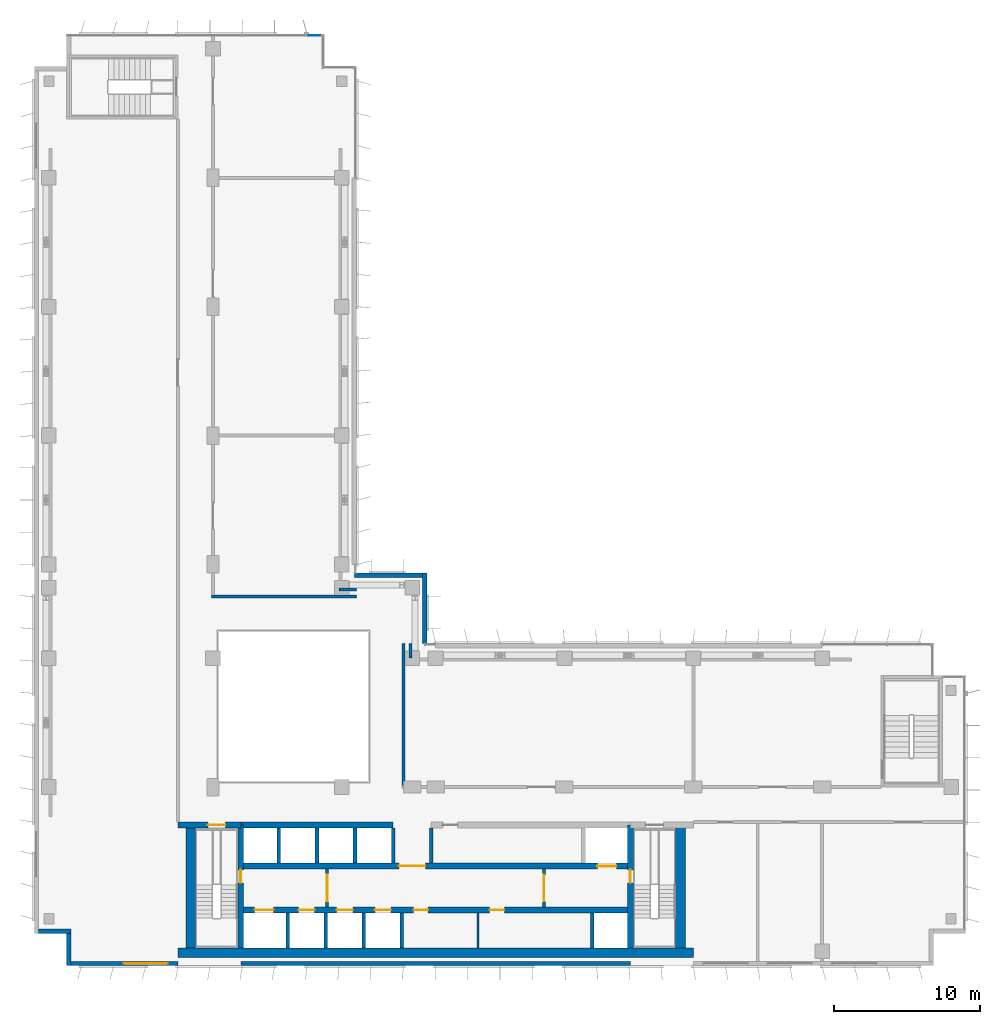
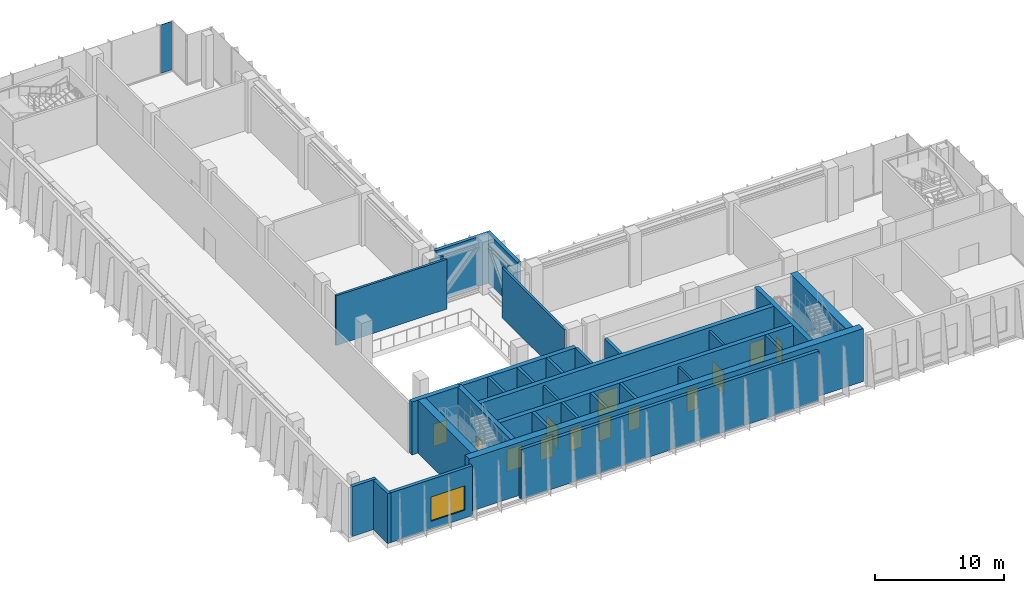
# One storey, part 11 of 17: 32 walls, 13 doors, 1 plate, 1 window, 14 openings, 1 element without a shape of its own.
"""IFC4 building model written with IfcOpenShell, lengths in metres."""

from ifc_helpers import new_model, si_unit, direction, frame, frame_2d, origin, origin_2d, place, context, subcontext, project, spatial, rectangle, extrude, source, transform, mapped, material, layer, layer_set, type_object, element, fill, aggregate, save


model = new_model("IFC4")

# Units and contexts
model_context = context("Model", 3, precision=1e-05, world=origin(), true_north=direction((0.0, 1.0)))
body_context = subcontext(model_context, "Body", "Model", "MODEL_VIEW")
ifc_project = project(units=[si_unit("LENGTHUNIT", "METRE"), si_unit("AREAUNIT", "SQUARE_METRE"), si_unit("VOLUMEUNIT", "CUBIC_METRE"), si_unit("PLANEANGLEUNIT", "RADIAN"), si_unit("MASSUNIT", "GRAM", prefix="KILO")], contexts=[model_context])

# Site, building, storey
site_placement = place(None, origin())
site = spatial("IfcSite", under=ifc_project, at=site_placement, CompositionType="ELEMENT")
building_placement = place(site_placement, origin())
building = spatial("IfcBuilding", under=site, at=building_placement, Name="Kemantara Hotel Tower", CompositionType="ELEMENT")
storey_placement = place(building_placement, frame((0.0, 0.0, 193.800048828125)))
storey = spatial("IfcBuildingStorey", under=building, at=storey_placement, Name="L48", CompositionType="ELEMENT", Elevation=193.800048828125)

# Curtain wall, plate
ifc_material_1 = material(Name="Low-E tinted double insulated glass 36 mm", Category="glass")
curtain_wall_type = type_object("IfcCurtainWallType", Name="TOWER CURTAIN WALL, FRONT FACES", PredefinedType="USERDEFINED", material=ifc_material_1)
curtain_wall_placement = place(storey_placement, origin())
curtain_wall = element("IfcCurtainWall", 1, at=curtain_wall_placement, inside=storey, type_object=curtain_wall_type, Name="CW4 L48 T3-R02-1", ObjectType="TOWER CURTAIN WALL, FRONT FACES", PredefinedType="USERDEFINED")
ifc_layer_1 = layer(ifc_material_1, 0.035888671875)
ifc_layer_set_1 = layer_set([ifc_layer_1], Name="Low-E tinted double insulated glass 36 mm")
plate_type = type_object("IfcPlateType", Name="TOWER CURTAIN WALL, FRONT FACES PANEL", PredefinedType="CURTAIN_PANEL", material=ifc_layer_set_1)
shared_shape = source(origin(), body_context, "Body", "SweptSolid", [
    extrude(rectangle(XDim=0.9599609375, YDim=0.035888671875, at=origin_2d()), origin(), (0.0, 0.0, 1.0), 4.580078125),
])
plate_placement = place(storey_placement, frame((19.110107421875, 63.52490234375, 0.119873046875), z_axis=(0.0, 0.0, 1.0), x_axis=(-1.0, 0.0, 0.0)))
plate = element("IfcPlate", 2, at=plate_placement, type_object=plate_type, Name="CW4 glass panel T3-R02-1.1", PredefinedType="CURTAIN_PANEL", context=body_context, shape_type="MappedRepresentation", body=[
    mapped(shared_shape, transform((0.0, 0.0, 0.0))),
])
aggregate(curtain_wall, [plate])

# Walls
ifc_material_2 = material(Name="Bronze anodised aluminium cladding on insulated steel stud wall", Category="steel")
ifc_layer_2 = layer(ifc_material_2, 0.300048828125)
ifc_layer_set_2 = layer_set([ifc_layer_2], Name="Bronze anodised aluminium cladding on insulated steel stud wall")
wall_type_1 = type_object("IfcWallType", Name="BRONZE METAL-CLAD EXTERNAL WALL 300", PredefinedType="STANDARD", material=ifc_layer_set_2)
for number, where, z_axis, x_axis, name in (
    (3, (0.300048828125, 2.35009765625, 0.0), (0.0, 0.0, 1.0), (1.0, 0.0, 0.0), "EXTERNAL WALL L48 T3-R06"),
    (4, (2.35009765625, 2.199951171875, 0.0), (0.0, 0.0, 1.0), (0.0, -1.0, 0.0), "EXTERNAL WALL L48 T3-R07"),
):
    element("IfcWall", number, at=place(storey_placement, frame(where, z_axis=z_axis, x_axis=x_axis)), inside=storey, type_object=wall_type_1, Name=name, PredefinedType="STANDARD", context=body_context, shape_type="SweptSolid", body=[
        extrude(rectangle(XDim=2.199951171875, YDim=0.300048828125, at=frame_2d((1.10009765625, 0.0))), origin(), (0.0, 0.0, 1.0), 4.699951171875),
    ])

# Wall, opening, window
wall_1_placement = place(storey_placement, frame((2.5, 0.14990234375, 0.0), z_axis=(0.0, 0.0, 1.0), x_axis=(1.0, 0.0, 0.0)))
wall_1 = element("IfcWall", 5, at=wall_1_placement, inside=storey, type_object=wall_type_1, Name="EXTERNAL WALL L48 T3-R08", PredefinedType="STANDARD", context=body_context, shape_type="SweptSolid", body=[
    extrude(rectangle(XDim=7.300048828125, YDim=0.300048828125, at=frame_2d((3.64990234375, 0.0))), origin(), (0.0, 0.0, 1.0), 4.699951171875),
])
opening_1_placement = place(wall_1_placement, frame((3.60009765625, 0.0, 0.75)))
opening_1 = element("IfcOpeningElement", 6, at=opening_1_placement, cuts=wall_1, Name="Opening W1", PredefinedType="OPENING", context=body_context, shape_type="SweptSolid", body=[
    extrude(rectangle(XDim=3.0, YDim=2.300048828125, at=frame_2d((1.5, 1.14990234375))), frame((0.0, 0.159912109375, 0.0), z_axis=(0.0, -1.0, 0.0), x_axis=(1.0, 0.0, 0.0)), (0.0, 0.0, 1.0), 0.320068359375),
])
ifc_material_3 = material(Name="Low-E tinted double insulated glass in bronze anodised aluminium frame", Category="aluminium")
window_type = type_object("IfcWindowType", Name="CHICAGO WINDOW, TRIPLE PANEL 3000x2300", PartitioningType="TRIPLE_PANEL_VERTICAL", PredefinedType="WINDOW", material=ifc_material_3)
window_placement = place(opening_1_placement, origin())
window = element("IfcWindow", 7, at=window_placement, inside=storey, type_object=window_type, Name="CHICAGO WINDOW L48 T3-R08-54", OverallHeight=2.300048828125, OverallWidth=3.0, PartitioningType="SINGLE_PANEL", PredefinedType="WINDOW", context=body_context, shape_type="SweptSolid", body=[
    extrude(rectangle(XDim=3.0, YDim=2.300048828125, at=frame_2d((1.5, 1.14990234375))), frame((0.0, 0.030029296875, 0.0), z_axis=(0.0, -1.0, 0.0), x_axis=(1.0, 0.0, 0.0)), (0.0, 0.0, 1.0), 0.06005859375),
])
fill(opening_1, window)

# Walls
wall_2_placement = place(storey_placement, frame((14.10009765625, 0.14990234375, 0.0), z_axis=(0.0, 0.0, 1.0), x_axis=(1.0, 0.0, 0.0)))
element("IfcWall", 8, at=wall_2_placement, inside=storey, type_object=wall_type_1, Name="EXTERNAL WALL L48 T3-R08-2", PredefinedType="STANDARD", context=body_context, shape_type="SweptSolid", body=[
    extrude(rectangle(XDim=26.599853515625, YDim=0.300048828125, at=frame_2d((13.2998046875, 0.0))), origin(), (0.0, 0.0, 1.0), 4.699951171875),
])
wall_3_placement = place(storey_placement, frame((26.64990234375, 22.0, 0.0), z_axis=(0.0, 0.0, 1.0), x_axis=(0.0, 1.0, 0.0)))
element("IfcWall", 9, at=wall_3_placement, inside=storey, type_object=wall_type_1, Name="EXTERNAL WALL L48 T3-R15.S0", PredefinedType="STANDARD", context=body_context, shape_type="SweptSolid", body=[
    extrude(rectangle(XDim=4.800048828125, YDim=0.300048828125, at=frame_2d((2.39990234375, 0.0))), origin(), (0.0, 0.0, 1.0), 4.699951171875),
])
wall_4_placement = place(storey_placement, frame((26.64990234375, 26.64990234375, 0.0), z_axis=(0.0, 0.0, 1.0), x_axis=(-1.0, 0.0, 0.0)))
element("IfcWall", 10, at=wall_4_placement, inside=storey, type_object=wall_type_1, Name="EXTERNAL WALL L48 T3-R16.S0", PredefinedType="STANDARD", context=body_context, shape_type="SweptSolid", body=[
    extrude(rectangle(XDim=4.7998046875, YDim=0.300048828125, at=frame_2d((2.39990234375, 0.0))), origin(), (0.0, 0.0, 1.0), 4.699951171875),
])
ifc_material_4 = material(Name="Concrete fc 60 MPa", Category="concrete")
ifc_layer_3 = layer(ifc_material_4, 0.25)
ifc_layer_set_3 = layer_set([ifc_layer_3], Name="Concrete fc 60 MPa")
wall_type_2 = type_object("IfcWallType", Name="CORE WALL 250 FC60", PredefinedType="SHEAR", material=ifc_layer_set_3)
for number, where, z_axis, x_axis, name in (
    (11, (17.300048828125, 1.199951171875, 0.0), (0.0, 0.0, 1.0), (0.0, 1.0, 0.0), "CORE WALL CW-DS17.3"),
    (12, (19.89990234375, 1.199951171875, 0.0), (0.0, 0.0, 1.0), (0.0, 1.0, 0.0), "CORE WALL CW-DS19.9"),
    (13, (22.5, 1.199951171875, 0.0), (0.0, 0.0, 1.0), (0.0, 1.0, 0.0), "CORE WALL CW-DS22.5"),
    (14, (25.10009765625, 1.199951171875, 0.0), (0.0, 0.0, 1.0), (0.0, 1.0, 0.0), "CORE WALL CW-DS25.1"),
    (15, (38.10009765625, 1.199951171875, 0.0), (0.0, 0.0, 1.0), (0.0, 1.0, 0.0), "CORE WALL CW-DS38.1"),
):
    element("IfcWall", number, at=place(storey_placement, frame(where, z_axis=z_axis, x_axis=x_axis)), inside=storey, type_object=wall_type_2, Name=name, PredefinedType="SHEAR", context=body_context, shape_type="SweptSolid", body=[
        extrude(rectangle(XDim=2.400146484375, YDim=0.25, at=frame_2d((1.2001953125, 0.0))), origin(), (0.0, 0.0, 1.0), 5.0),
    ])
for number, where, z_axis, x_axis, name in (
    (16, (16.699951171875, 7.0, 0.0), (0.0, 0.0, 1.0), (0.0, 1.0, 0.0), "CORE WALL CW-DN16.7"),
    (17, (19.300048828125, 7.0, 0.0), (0.0, 0.0, 1.0), (0.0, 1.0, 0.0), "CORE WALL CW-DN19.3"),
    (18, (21.89990234375, 7.0, 0.0), (0.0, 0.0, 1.0), (0.0, 1.0, 0.0), "CORE WALL CW-DN21.9"),
    (19, (24.5, 7.0, 0.0), (0.0, 0.0, 1.0), (0.0, 1.0, 0.0), "CORE WALL CW-DN24.5"),
    (20, (27.10009765625, 7.0, 0.0), (0.0, 0.0, 1.0), (0.0, 1.0, 0.0), "CORE WALL CW-DN27.1"),
):
    element("IfcWall", number, at=place(storey_placement, frame(where, z_axis=z_axis, x_axis=x_axis)), inside=storey, type_object=wall_type_2, Name=name, PredefinedType="SHEAR", context=body_context, shape_type="SweptSolid", body=[
        extrude(rectangle(XDim=2.39990234375, YDim=0.25, at=frame_2d((1.199951171875, 0.0))), origin(), (0.0, 0.0, 1.0), 5.0),
    ])

# Wall, opening, door
ifc_layer_4 = layer(ifc_material_4, 0.39990234375)
ifc_layer_set_4 = layer_set([ifc_layer_4], Name="Concrete fc 60 MPa")
wall_type_3 = type_object("IfcWallType", Name="CORE WALL 400 FC60", PredefinedType="SHEAR", material=ifc_layer_set_4)
wall_5_placement = place(storey_placement, frame((9.800048828125, 9.60009765625, 0.0), z_axis=(0.0, 0.0, 1.0), x_axis=(1.0, 0.0, 0.0)))
wall_5 = element("IfcWall", 21, at=wall_5_placement, inside=storey, type_object=wall_type_3, Name="CORE WALL CW-N1", PredefinedType="SHEAR", context=body_context, shape_type="SweptSolid", body=[
    extrude(rectangle(XDim=4.300048828125, YDim=0.39990234375, at=frame_2d((2.14990234375, 0.0))), origin(), (0.0, 0.0, 1.0), 5.0),
])
opening_2_placement = place(wall_5_placement, frame((2.050048828125, 0.0, 0.0)))
opening_2 = element("IfcOpeningElement", 22, at=opening_2_placement, cuts=wall_5, Name="Opening C29-ST1-C", PredefinedType="OPENING", context=body_context, shape_type="SweptSolid", body=[
    extrude(rectangle(XDim=1.199951171875, YDim=2.10009765625, at=frame_2d((0.60009765625, 1.050048828125))), frame((0.0, 0.2099609375, 0.0), z_axis=(0.0, -1.0, 0.0), x_axis=(1.0, 0.0, 0.0)), (0.0, 0.0, 1.0), 0.419921875),
])
ifc_material_5 = material(Name="Steel fire door", Category="steel")
door_type_1 = type_object("IfcDoorType", Name="Fire door FD90 1200 x 2100", OperationType="NOTDEFINED", PredefinedType="DOOR", material=ifc_material_5)
door_1_placement = place(opening_2_placement, frame((1.199951171875, 0.0, 0.0), z_axis=(0.0, 0.0, 1.0), x_axis=(-1.0, 0.0, 0.0)))
door_1 = element("IfcDoor", 23, at=door_1_placement, inside=storey, type_object=door_type_1, Name="Stair ST1 door to corridor", OperationType="SINGLE_SWING_LEFT", OverallHeight=2.10009765625, OverallWidth=1.199951171875, PredefinedType="DOOR", context=body_context, shape_type="SweptSolid", body=[
    extrude(rectangle(XDim=1.199951171875, YDim=2.10009765625, at=frame_2d((0.60009765625, 1.050048828125))), frame((0.0, 0.02490234375, 0.0), z_axis=(0.0, -1.0, 0.0), x_axis=(1.0, 0.0, 0.0)), (0.0, 0.0, 1.0), 0.050048828125),
])
fill(opening_2, door_1)

# Wall
wall_6_placement = place(storey_placement, frame((14.10009765625, 9.60009765625, 0.0), z_axis=(0.0, 0.0, 1.0), x_axis=(1.0, 0.0, 0.0)))
element("IfcWall", 24, at=wall_6_placement, inside=storey, type_object=wall_type_3, Name="CORE WALL CW-NN1", PredefinedType="SHEAR", context=body_context, shape_type="SweptSolid", body=[
    extrude(rectangle(XDim=10.39990234375, YDim=0.39990234375, at=frame_2d((5.199951171875, 0.0))), origin(), (0.0, 0.0, 1.0), 5.0),
])

# Wall, openings, doors
wall_7_placement = place(storey_placement, frame((14.10009765625, 3.800048828125, 0.0), z_axis=(0.0, 0.0, 1.0), x_axis=(1.0, 0.0, 0.0)))
wall_7 = element("IfcWall", 25, at=wall_7_placement, inside=storey, type_object=wall_type_3, Name="CORE WALL CW-L1", PredefinedType="SHEAR", context=body_context, shape_type="SweptSolid", body=[
    extrude(rectangle(XDim=26.599853515625, YDim=0.39990234375, at=frame_2d((13.2998046875, 0.0))), origin(), (0.0, 0.0, 1.0), 5.0),
])
opening_3_placement = place(wall_7_placement, frame((0.949951171875, 0.0, 0.0)))
opening_3 = element("IfcOpeningElement", 26, at=opening_3_placement, cuts=wall_7, Name="Opening C29-LD-FF1", PredefinedType="OPENING", context=body_context, shape_type="SweptSolid", body=[
    extrude(rectangle(XDim=1.300048828125, YDim=2.10009765625, at=frame_2d((0.64990234375, 1.050048828125))), frame((0.0, 0.2099609375, 0.0), z_axis=(0.0, -1.0, 0.0), x_axis=(1.0, 0.0, 0.0)), (0.0, 0.0, 1.0), 0.419921875),
])
opening_4_placement = place(wall_7_placement, frame((3.949951171875, 0.0, 0.0)))
opening_4 = element("IfcOpeningElement", 27, at=opening_4_placement, cuts=wall_7, Name="Opening C29-LD-SV1", PredefinedType="OPENING", context=body_context, shape_type="SweptSolid", body=[
    extrude(rectangle(XDim=1.10009765625, YDim=2.10009765625, at=frame_2d((0.550048828125, 1.050048828125))), frame((0.0, 0.2099609375, 0.0), z_axis=(0.0, -1.0, 0.0), x_axis=(1.0, 0.0, 0.0)), (0.0, 0.0, 1.0), 0.419921875),
])
opening_5_placement = place(wall_7_placement, frame((6.550048828125, 0.0, 0.0)))
opening_5 = element("IfcOpeningElement", 28, at=opening_5_placement, cuts=wall_7, Name="Opening C29-LD-SV2", PredefinedType="OPENING", context=body_context, shape_type="SweptSolid", body=[
    extrude(rectangle(XDim=1.10009765625, YDim=2.10009765625, at=frame_2d((0.550048828125, 1.050048828125))), frame((0.0, 0.2099609375, 0.0), z_axis=(0.0, -1.0, 0.0), x_axis=(1.0, 0.0, 0.0)), (0.0, 0.0, 1.0), 0.419921875),
])
opening_6_placement = place(wall_7_placement, frame((9.14990234375, 0.0, 0.0)))
opening_6 = element("IfcOpeningElement", 29, at=opening_6_placement, cuts=wall_7, Name="Opening C29-LD-SV3", PredefinedType="OPENING", context=body_context, shape_type="SweptSolid", body=[
    extrude(rectangle(XDim=1.10009765625, YDim=2.10009765625, at=frame_2d((0.550048828125, 1.050048828125))), frame((0.0, 0.2099609375, 0.0), z_axis=(0.0, -1.0, 0.0), x_axis=(1.0, 0.0, 0.0)), (0.0, 0.0, 1.0), 0.419921875),
])
opening_7_placement = place(wall_7_placement, frame((11.800048828125, 0.0, 0.0)))
opening_7 = element("IfcOpeningElement", 30, at=opening_7_placement, cuts=wall_7, Name="Opening C29-R-SM1", PredefinedType="OPENING", context=body_context, shape_type="SweptSolid", body=[
    extrude(rectangle(XDim=1.0, YDim=2.10009765625, at=frame_2d((0.5, 1.050048828125))), frame((0.0, 0.2099609375, 0.0), z_axis=(0.0, -1.0, 0.0), x_axis=(1.0, 0.0, 0.0)), (0.0, 0.0, 1.0), 0.419921875),
])
opening_8_placement = place(wall_7_placement, frame((17.0, 0.0, 0.0)))
opening_8 = element("IfcOpeningElement", 31, at=opening_8_placement, cuts=wall_7, Name="Opening C29-R-SM2", PredefinedType="OPENING", context=body_context, shape_type="SweptSolid", body=[
    extrude(rectangle(XDim=1.0, YDim=2.10009765625, at=frame_2d((0.5, 1.050048828125))), frame((0.0, 0.2099609375, 0.0), z_axis=(0.0, -1.0, 0.0), x_axis=(1.0, 0.0, 0.0)), (0.0, 0.0, 1.0), 0.419921875),
])
door_type_2 = type_object("IfcDoorType", Name="Fire door FD60 1000 x 2100", OperationType="NOTDEFINED", PredefinedType="DOOR", material=ifc_material_5)
door_2_placement = place(opening_7_placement, frame((1.0, 0.0, 0.0), z_axis=(0.0, 0.0, 1.0), x_axis=(-1.0, 0.0, 0.0)))
door_2 = element("IfcDoor", 32, at=door_2_placement, inside=storey, type_object=door_type_2, Name="Tank Room door", OperationType="SINGLE_SWING_RIGHT", OverallHeight=2.10009765625, OverallWidth=1.0, PredefinedType="DOOR", context=body_context, shape_type="SweptSolid", body=[
    extrude(rectangle(XDim=1.0, YDim=2.10009765625, at=frame_2d((0.5, 1.050048828125))), frame((0.0, 0.02490234375, 0.0), z_axis=(0.0, -1.0, 0.0), x_axis=(1.0, 0.0, 0.0)), (0.0, 0.0, 1.0), 0.050048828125),
])
fill(opening_7, door_2)
door_3_placement = place(opening_8_placement, frame((1.0, 0.0, 0.0), z_axis=(0.0, 0.0, 1.0), x_axis=(-1.0, 0.0, 0.0)))
door_3 = element("IfcDoor", 33, at=door_3_placement, inside=storey, type_object=door_type_2, Name="Air Handling Plant Room door", OperationType="SINGLE_SWING_LEFT", OverallHeight=2.10009765625, OverallWidth=1.0, PredefinedType="DOOR", context=body_context, shape_type="SweptSolid", body=[
    extrude(rectangle(XDim=1.0, YDim=2.10009765625, at=frame_2d((0.5, 1.050048828125))), frame((0.0, 0.02490234375, 0.0), z_axis=(0.0, -1.0, 0.0), x_axis=(1.0, 0.0, 0.0)), (0.0, 0.0, 1.0), 0.050048828125),
])
fill(opening_8, door_3)
ifc_material_6 = material(Name="Stainless steel lift door", Category="steel")
door_type_3 = type_object("IfcDoorType", Name="Lift landing door 1100 x 2100 FD60", OperationType="DOUBLE_DOOR_SLIDING", PredefinedType="DOOR", material=ifc_material_6)
door_4_placement = place(opening_4_placement, origin())
door_4 = element("IfcDoor", 34, at=door_4_placement, inside=storey, type_object=door_type_3, Name="Lift SV1 landing door", OperationType="DOUBLE_DOOR_SLIDING", OverallHeight=2.10009765625, OverallWidth=1.10009765625, PredefinedType="DOOR", context=body_context, shape_type="SweptSolid", body=[
    extrude(rectangle(XDim=1.10009765625, YDim=2.10009765625, at=frame_2d((0.550048828125, 1.050048828125))), frame((0.0, 0.02490234375, 0.0), z_axis=(0.0, -1.0, 0.0), x_axis=(1.0, 0.0, 0.0)), (0.0, 0.0, 1.0), 0.050048828125),
])
fill(opening_4, door_4)
door_5_placement = place(opening_5_placement, origin())
door_5 = element("IfcDoor", 35, at=door_5_placement, inside=storey, type_object=door_type_3, Name="Lift SV2 landing door", OperationType="DOUBLE_DOOR_SLIDING", OverallHeight=2.10009765625, OverallWidth=1.10009765625, PredefinedType="DOOR", context=body_context, shape_type="SweptSolid", body=[
    extrude(rectangle(XDim=1.10009765625, YDim=2.10009765625, at=frame_2d((0.550048828125, 1.050048828125))), frame((0.0, 0.02490234375, 0.0), z_axis=(0.0, -1.0, 0.0), x_axis=(1.0, 0.0, 0.0)), (0.0, 0.0, 1.0), 0.050048828125),
])
fill(opening_5, door_5)
door_6_placement = place(opening_6_placement, origin())
door_6 = element("IfcDoor", 36, at=door_6_placement, inside=storey, type_object=door_type_3, Name="Lift SV3 landing door", OperationType="DOUBLE_DOOR_SLIDING", OverallHeight=2.10009765625, OverallWidth=1.10009765625, PredefinedType="DOOR", context=body_context, shape_type="SweptSolid", body=[
    extrude(rectangle(XDim=1.10009765625, YDim=2.10009765625, at=frame_2d((0.550048828125, 1.050048828125))), frame((0.0, 0.02490234375, 0.0), z_axis=(0.0, -1.0, 0.0), x_axis=(1.0, 0.0, 0.0)), (0.0, 0.0, 1.0), 0.050048828125),
])
fill(opening_6, door_6)
door_type_4 = type_object("IfcDoorType", Name="Lift landing door 1300 x 2100 FD90", OperationType="DOUBLE_DOOR_SLIDING", PredefinedType="DOOR", material=ifc_material_6)
door_7_placement = place(opening_3_placement, origin())
door_7 = element("IfcDoor", 37, at=door_7_placement, inside=storey, type_object=door_type_4, Name="Lift FF1 landing door", OperationType="DOUBLE_DOOR_SLIDING", OverallHeight=2.10009765625, OverallWidth=1.300048828125, PredefinedType="DOOR", context=body_context, shape_type="SweptSolid", body=[
    extrude(rectangle(XDim=1.300048828125, YDim=2.10009765625, at=frame_2d((0.64990234375, 1.050048828125))), frame((0.0, 0.02490234375, 0.0), z_axis=(0.0, -1.0, 0.0), x_axis=(1.0, 0.0, 0.0)), (0.0, 0.0, 1.0), 0.050048828125),
])
fill(opening_3, door_7)

wall_8_placement = place(storey_placement, frame((14.10009765625, 6.800048828125, 0.0), z_axis=(0.0, 0.0, 1.0), x_axis=(1.0, 0.0, 0.0)))
wall_8 = element("IfcWall", 38, at=wall_8_placement, inside=storey, type_object=wall_type_3, Name="CORE WALL CW-L2", PredefinedType="SHEAR", context=body_context, shape_type="SweptSolid", body=[
    extrude(rectangle(XDim=26.599853515625, YDim=0.39990234375, at=frame_2d((13.2998046875, 0.0))), origin(), (0.0, 0.0, 1.0), 5.0),
])
opening_9_placement = place(wall_8_placement, frame((10.800048828125, 0.0, 0.0)))
opening_9 = element("IfcOpeningElement", 39, at=opening_9_placement, cuts=wall_8, Name="Opening C29-VL", PredefinedType="OPENING", context=body_context, shape_type="SweptSolid", body=[
    extrude(rectangle(XDim=1.800048828125, YDim=2.10009765625, at=frame_2d((0.89990234375, 1.050048828125))), frame((0.0, 0.2099609375, 0.0), z_axis=(0.0, -1.0, 0.0), x_axis=(1.0, 0.0, 0.0)), (0.0, 0.0, 1.0), 0.419921875),
])
opening_10_placement = place(wall_8_placement, frame((24.35009765625, 0.0, 0.0)))
opening_10 = element("IfcOpeningElement", 40, at=opening_10_placement, cuts=wall_8, Name="Opening C29-LD-FF2", PredefinedType="OPENING", context=body_context, shape_type="SweptSolid", body=[
    extrude(rectangle(XDim=1.300048828125, YDim=2.10009765625, at=frame_2d((0.64990234375, 1.050048828125))), frame((0.0, 0.2099609375, 0.0), z_axis=(0.0, -1.0, 0.0), x_axis=(1.0, 0.0, 0.0)), (0.0, 0.0, 1.0), 0.419921875),
])
door_type_5 = type_object("IfcDoorType", Name="Fire door pair FD60 1800 x 2100", OperationType="DOUBLE_DOOR_SINGLE_SWING", PredefinedType="DOOR", material=ifc_material_5)
door_8_placement = place(opening_9_placement, frame((1.800048828125, 0.0, 0.0), z_axis=(0.0, 0.0, 1.0), x_axis=(-1.0, 0.0, 0.0)))
door_8 = element("IfcDoor", 41, at=door_8_placement, inside=storey, type_object=door_type_5, Name="Lift lobby entry door", OperationType="DOUBLE_DOOR_SINGLE_SWING", OverallHeight=2.10009765625, OverallWidth=1.800048828125, PredefinedType="DOOR", context=body_context, shape_type="SweptSolid", body=[
    extrude(rectangle(XDim=1.800048828125, YDim=2.10009765625, at=frame_2d((0.89990234375, 1.050048828125))), frame((0.0, 0.02490234375, 0.0), z_axis=(0.0, -1.0, 0.0), x_axis=(1.0, 0.0, 0.0)), (0.0, 0.0, 1.0), 0.050048828125),
])
fill(opening_9, door_8)
door_9_placement = place(opening_10_placement, origin())
door_9 = element("IfcDoor", 42, at=door_9_placement, inside=storey, type_object=door_type_4, Name="Lift FF2 landing door", OperationType="DOUBLE_DOOR_SLIDING", OverallHeight=2.10009765625, OverallWidth=1.300048828125, PredefinedType="DOOR", context=body_context, shape_type="SweptSolid", body=[
    extrude(rectangle(XDim=1.300048828125, YDim=2.10009765625, at=frame_2d((0.64990234375, 1.050048828125))), frame((0.0, 0.02490234375, 0.0), z_axis=(0.0, -1.0, 0.0), x_axis=(1.0, 0.0, 0.0)), (0.0, 0.0, 1.0), 0.050048828125),
])
fill(opening_10, door_9)

# Wall, opening, door
wall_9_placement = place(storey_placement, frame((14.10009765625, 1.199951171875, 0.0), z_axis=(0.0, 0.0, 1.0), x_axis=(0.0, 1.0, 0.0)))
wall_9 = element("IfcWall", 43, at=wall_9_placement, inside=storey, type_object=wall_type_3, Name="CORE WALL CW-ST1E", PredefinedType="SHEAR", context=body_context, shape_type="SweptSolid", body=[
    extrude(rectangle(XDim=8.400146484375, YDim=0.39990234375, at=frame_2d((4.2001953125, 0.0))), origin(), (0.0, 0.0, 1.0), 5.0),
])
opening_11_placement = place(wall_9_placement, frame((4.449951171875, 0.0, 0.0)))
opening_11 = element("IfcOpeningElement", 44, at=opening_11_placement, cuts=wall_9, Name="Opening C29-ST1-F", PredefinedType="OPENING", context=body_context, shape_type="SweptSolid", body=[
    extrude(rectangle(XDim=0.89990234375, YDim=2.10009765625, at=frame_2d((0.449951171875, 1.050048828125))), frame((0.0, 0.2099609375, 0.0), z_axis=(0.0, -1.0, 0.0), x_axis=(1.0, 0.0, 0.0)), (0.0, 0.0, 1.0), 0.419921875),
])
door_type_6 = type_object("IfcDoorType", Name="Fire door FD90 900 x 2100", OperationType="NOTDEFINED", PredefinedType="DOOR", material=ifc_material_5)
door_10_placement = place(opening_11_placement, origin())
door_10 = element("IfcDoor", 45, at=door_10_placement, inside=storey, type_object=door_type_6, Name="Stair ST1 door to firefighting lobby", OperationType="SINGLE_SWING_RIGHT", OverallHeight=2.10009765625, OverallWidth=0.89990234375, PredefinedType="DOOR", context=body_context, shape_type="SweptSolid", body=[
    extrude(rectangle(XDim=0.89990234375, YDim=2.10009765625, at=frame_2d((0.449951171875, 1.050048828125))), frame((0.0, 0.02490234375, 0.0), z_axis=(0.0, -1.0, 0.0), x_axis=(1.0, 0.0, 0.0)), (0.0, 0.0, 1.0), 0.050048828125),
])
fill(opening_11, door_10)

wall_10_placement = place(storey_placement, frame((40.699951171875, 1.199951171875, 0.0), z_axis=(0.0, 0.0, 1.0), x_axis=(0.0, 1.0, 0.0)))
wall_10 = element("IfcWall", 46, at=wall_10_placement, inside=storey, type_object=wall_type_3, Name="CORE WALL CW-ST2W", PredefinedType="SHEAR", context=body_context, shape_type="SweptSolid", body=[
    extrude(rectangle(XDim=8.400146484375, YDim=0.39990234375, at=frame_2d((4.2001953125, 0.0))), origin(), (0.0, 0.0, 1.0), 5.0),
])
opening_12_placement = place(wall_10_placement, frame((4.449951171875, 0.0, 0.0)))
opening_12 = element("IfcOpeningElement", 47, at=opening_12_placement, cuts=wall_10, Name="Opening C29-ST2-F", PredefinedType="OPENING", context=body_context, shape_type="SweptSolid", body=[
    extrude(rectangle(XDim=0.89990234375, YDim=2.10009765625, at=frame_2d((0.449951171875, 1.050048828125))), frame((0.0, 0.2099609375, 0.0), z_axis=(0.0, -1.0, 0.0), x_axis=(1.0, 0.0, 0.0)), (0.0, 0.0, 1.0), 0.419921875),
])
door_11_placement = place(opening_12_placement, frame((0.89990234375, 0.0, 0.0), z_axis=(0.0, 0.0, 1.0), x_axis=(-1.0, 0.0, 0.0)))
door_11 = element("IfcDoor", 48, at=door_11_placement, inside=storey, type_object=door_type_6, Name="Stair ST2 door to firefighting lobby", OperationType="SINGLE_SWING_LEFT", OverallHeight=2.10009765625, OverallWidth=0.89990234375, PredefinedType="DOOR", context=body_context, shape_type="SweptSolid", body=[
    extrude(rectangle(XDim=0.89990234375, YDim=2.10009765625, at=frame_2d((0.449951171875, 1.050048828125))), frame((0.0, 0.02490234375, 0.0), z_axis=(0.0, -1.0, 0.0), x_axis=(1.0, 0.0, 0.0)), (0.0, 0.0, 1.0), 0.050048828125),
])
fill(opening_12, door_11)

# Walls
ifc_layer_5 = layer(ifc_material_4, 0.64990234375)
ifc_layer_set_5 = layer_set([ifc_layer_5], Name="Concrete fc 60 MPa")
wall_type_4 = type_object("IfcWallType", Name="CORE WALL 650 FC60", PredefinedType="SHEAR", material=ifc_layer_set_5)
wall_11_placement = place(storey_placement, frame((9.800048828125, 0.875, 0.0), z_axis=(0.0, 0.0, 1.0), x_axis=(1.0, 0.0, 0.0)))
element("IfcWall", 49, at=wall_11_placement, inside=storey, type_object=wall_type_4, Name="CORE WALL CW-S", PredefinedType="SHEAR", context=body_context, shape_type="SweptSolid", body=[
    extrude(rectangle(XDim=35.199951171875, YDim=0.64990234375, at=frame_2d((17.60009765625, 0.0))), origin(), (0.0, 0.0, 1.0), 5.0),
])
for number, where, z_axis, x_axis, name in (
    (50, (10.675048828125, 1.199951171875, 0.0), (0.0, 0.0, 1.0), (0.0, 1.0, 0.0), "CORE WALL CW-W"),
    (51, (44.125, 1.199951171875, 0.0), (0.0, 0.0, 1.0), (0.0, 1.0, 0.0), "CORE WALL CW-E"),
):
    element("IfcWall", number, at=place(storey_placement, frame(where, z_axis=z_axis, x_axis=x_axis)), inside=storey, type_object=wall_type_4, Name=name, PredefinedType="SHEAR", context=body_context, shape_type="SweptSolid", body=[
        extrude(rectangle(XDim=8.60009765625, YDim=0.64990234375, at=frame_2d((4.300048828125, 0.0))), origin(), (0.0, 0.0, 1.0), 5.0),
    ])
ifc_material_7 = material(Name="Clay brick masonry", Category="masonry")
ifc_layer_6 = layer(ifc_material_7, 0.199951171875)
ifc_layer_set_6 = layer_set([ifc_layer_6], Name="Clay brick masonry")
wall_type_5 = type_object("IfcWallType", Name="FIRE-RATED CLAY BRICK WALL 200 EI 120", PredefinedType="PARTITIONING", material=ifc_layer_set_6)
wall_12_placement = place(storey_placement, frame((20.800048828125, 25.699951171875, 0.0), z_axis=(0.0, 0.0, 1.0), x_axis=(1.0, 0.0, 0.0)))
element("IfcWall", 52, at=wall_12_placement, inside=storey, type_object=wall_type_5, Name="FIRE WALL", PredefinedType="PARTITIONING", context=body_context, shape_type="SweptSolid", body=[
    extrude(rectangle(XDim=1.199951171875, YDim=0.199951171875, at=frame_2d((0.60009765625, 0.0))), origin(), (0.0, 0.0, 1.0), 4.699951171875),
])
wall_13_placement = place(storey_placement, frame((25.699951171875, 21.0, 0.0), z_axis=(0.0, 0.0, 1.0), x_axis=(0.0, 1.0, 0.0)))
element("IfcWall", 53, at=wall_13_placement, inside=storey, type_object=wall_type_5, Name="FIRE WALL", PredefinedType="PARTITIONING", context=body_context, shape_type="SweptSolid", body=[
    extrude(rectangle(XDim=1.0, YDim=0.199951171875, at=frame_2d((0.5, 0.0))), origin(), (0.0, 0.0, 1.0), 4.699951171875),
])
ifc_material_8 = material(Name="Fire-rated gypsum board partition")
ifc_layer_7 = layer(ifc_material_8, 0.199951171875)
ifc_layer_set_7 = layer_set([ifc_layer_7], Name="Fire-rated gypsum board partition")
wall_type_6 = type_object("IfcWallType", Name="FIRE-RATED GYPSUM PARTITION 200 EI 60", PredefinedType="PARTITIONING", material=ifc_layer_set_7)
wall_14_placement = place(storey_placement, frame((12.10009765625, 25.199951171875, 0.0), z_axis=(0.0, 0.0, 1.0), x_axis=(1.0, 0.0, 0.0)))
element("IfcWall", 54, at=wall_14_placement, inside=storey, type_object=wall_type_6, Name="FIRE-RATED PARTITION", PredefinedType="PARTITIONING", context=body_context, shape_type="SweptSolid", body=[
    extrude(rectangle(XDim=9.89990234375, YDim=0.199951171875, at=frame_2d((4.949951171875, 0.0))), origin(), (0.0, 0.0, 1.0), 4.699951171875),
])
wall_15_placement = place(storey_placement, frame((25.199951171875, 12.300048828125, 0.0), z_axis=(0.0, 0.0, 1.0), x_axis=(0.0, 1.0, 0.0)))
element("IfcWall", 55, at=wall_15_placement, inside=storey, type_object=wall_type_6, Name="FIRE-RATED PARTITION", PredefinedType="PARTITIONING", context=body_context, shape_type="SweptSolid", body=[
    extrude(rectangle(XDim=9.699951171875, YDim=0.199951171875, at=frame_2d((4.85009765625, 0.0))), origin(), (0.0, 0.0, 1.0), 4.699951171875),
])
ifc_material_9 = material(Name="Gypsum board partition")
ifc_layer_8 = layer(ifc_material_9, 0.14990234375)
ifc_layer_set_8 = layer_set([ifc_layer_8], Name="Gypsum board partition")
wall_type_7 = type_object("IfcWallType", Name="Gypsum board partition 150 mm", PredefinedType="PARTITIONING", material=ifc_layer_set_8)
wall_16_placement = place(storey_placement, frame((30.300048828125, 1.199951171875, 0.0), z_axis=(0.0, 0.0, 1.0), x_axis=(0.0, 1.0, 0.0)))
element("IfcWall", 56, at=wall_16_placement, inside=storey, type_object=wall_type_7, Name="Core room partition", PredefinedType="PARTITIONING", context=body_context, shape_type="SweptSolid", body=[
    extrude(rectangle(XDim=2.400146484375, YDim=0.14990234375, at=frame_2d((1.2001953125, 0.0))), origin(), (0.0, 0.0, 1.0), 4.699951171875),
])

# Wall, opening, door
ifc_material_10 = material(Name="Gypsum board shaft wall")
ifc_layer_9 = layer(ifc_material_10, 0.199951171875)
ifc_layer_set_9 = layer_set([ifc_layer_9], Name="Gypsum board shaft wall")
wall_type_8 = type_object("IfcWallType", Name="Gypsum board shaft wall 200 mm", PredefinedType="PARTITIONING", material=ifc_layer_set_9)
wall_17_placement = place(storey_placement, frame((20.0, 4.0, 0.0), z_axis=(0.0, 0.0, 1.0), x_axis=(0.0, 1.0, 0.0)))
wall_17 = element("IfcWall", 57, at=wall_17_placement, inside=storey, type_object=wall_type_8, Name="Firefighting lobby partition west", PredefinedType="PARTITIONING", context=body_context, shape_type="SweptSolid", body=[
    extrude(rectangle(XDim=2.60009765625, YDim=0.199951171875, at=frame_2d((1.300048828125, 0.0))), origin(), (0.0, 0.0, 1.0), 4.699951171875),
])
opening_13_placement = place(wall_17_placement, frame((0.39990234375, 0.0, 0.0)))
opening_13 = element("IfcOpeningElement", 58, at=opening_13_placement, cuts=wall_17, Name="Opening C29-FFW", PredefinedType="OPENING", context=body_context, shape_type="SweptSolid", body=[
    extrude(rectangle(XDim=1.800048828125, YDim=2.10009765625, at=frame_2d((0.89990234375, 1.050048828125))), frame((0.0, 0.10986328125, 0.0), z_axis=(0.0, -1.0, 0.0), x_axis=(1.0, 0.0, 0.0)), (0.0, 0.0, 1.0), 0.219970703125),
])
door_12_placement = place(opening_13_placement, origin())
door_12 = element("IfcDoor", 59, at=door_12_placement, inside=storey, type_object=door_type_5, Name="Firefighting lobby door west", OperationType="DOUBLE_DOOR_SINGLE_SWING", OverallHeight=2.10009765625, OverallWidth=1.800048828125, PredefinedType="DOOR", context=body_context, shape_type="SweptSolid", body=[
    extrude(rectangle(XDim=1.800048828125, YDim=2.10009765625, at=frame_2d((0.89990234375, 1.050048828125))), frame((0.0, 0.02490234375, 0.0), z_axis=(0.0, -1.0, 0.0), x_axis=(1.0, 0.0, 0.0)), (0.0, 0.0, 1.0), 0.050048828125),
])
fill(opening_13, door_12)

wall_18_placement = place(storey_placement, frame((34.800048828125, 4.0, 0.0), z_axis=(0.0, 0.0, 1.0), x_axis=(0.0, 1.0, 0.0)))
wall_18 = element("IfcWall", 60, at=wall_18_placement, inside=storey, type_object=wall_type_8, Name="Firefighting lobby partition east", PredefinedType="PARTITIONING", context=body_context, shape_type="SweptSolid", body=[
    extrude(rectangle(XDim=2.60009765625, YDim=0.199951171875, at=frame_2d((1.300048828125, 0.0))), origin(), (0.0, 0.0, 1.0), 4.699951171875),
])
opening_14_placement = place(wall_18_placement, frame((0.39990234375, 0.0, 0.0)))
opening_14 = element("IfcOpeningElement", 61, at=opening_14_placement, cuts=wall_18, Name="Opening C29-FFE", PredefinedType="OPENING", context=body_context, shape_type="SweptSolid", body=[
    extrude(rectangle(XDim=1.800048828125, YDim=2.10009765625, at=frame_2d((0.89990234375, 1.050048828125))), frame((0.0, 0.10986328125, 0.0), z_axis=(0.0, -1.0, 0.0), x_axis=(1.0, 0.0, 0.0)), (0.0, 0.0, 1.0), 0.219970703125),
])
door_13_placement = place(opening_14_placement, frame((1.800048828125, 0.0, 0.0), z_axis=(0.0, 0.0, 1.0), x_axis=(-1.0, 0.0, 0.0)))
door_13 = element("IfcDoor", 62, at=door_13_placement, inside=storey, type_object=door_type_5, Name="Firefighting lobby door east", OperationType="DOUBLE_DOOR_SINGLE_SWING", OverallHeight=2.10009765625, OverallWidth=1.800048828125, PredefinedType="DOOR", context=body_context, shape_type="SweptSolid", body=[
    extrude(rectangle(XDim=1.800048828125, YDim=2.10009765625, at=frame_2d((0.89990234375, 1.050048828125))), frame((0.0, 0.02490234375, 0.0), z_axis=(0.0, -1.0, 0.0), x_axis=(1.0, 0.0, 0.0)), (0.0, 0.0, 1.0), 0.050048828125),
])
fill(opening_14, door_13)

save(model, "model.ifc")
